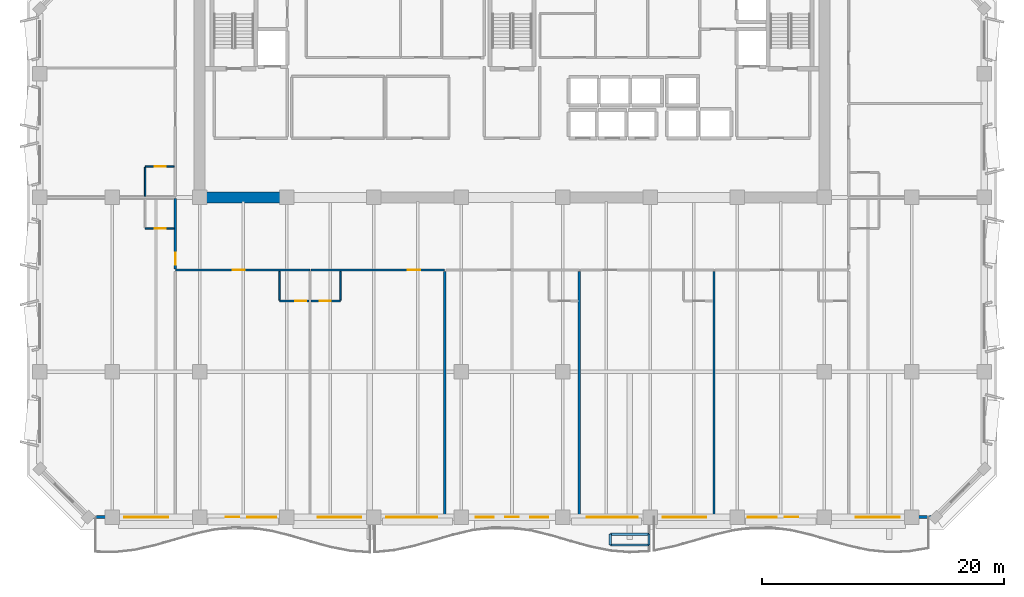
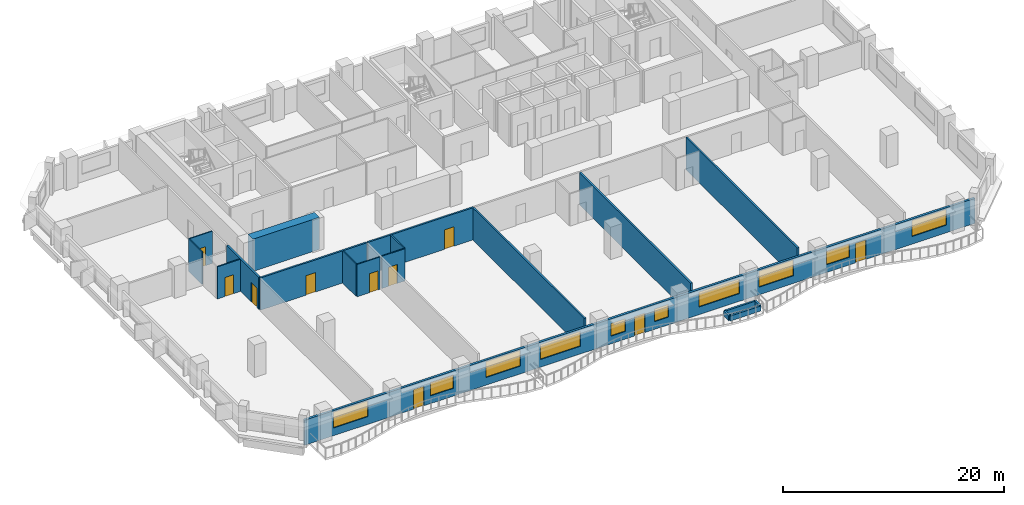
# One storey, part 4 of 14: 19 walls, 10 doors, 10 windows, 20 openings.
"""IFC4 building model written with IfcOpenShell, lengths in metres."""

from ifc_helpers import new_model, si_unit, direction, frame, frame_2d, origin, place, context, subcontext, project, spatial, rectangle, extrude, material, layer, layer_set, type_object, element, fill, save


model = new_model("IFC4")

# Units and contexts
model_context = context("Model", 3, precision=1e-05, world=origin(), true_north=direction((0.0, 1.0)))
body_context = subcontext(model_context, "Body", "Model", "MODEL_VIEW")
ifc_project = project(units=[si_unit("LENGTHUNIT", "METRE"), si_unit("AREAUNIT", "SQUARE_METRE"), si_unit("VOLUMEUNIT", "CUBIC_METRE"), si_unit("PLANEANGLEUNIT", "RADIAN"), si_unit("MASSUNIT", "GRAM", prefix="KILO")], contexts=[model_context])

# Site, building, storey
site_placement = place(None, origin())
site = spatial("IfcSite", under=ifc_project, at=site_placement, CompositionType="ELEMENT")
building_placement = place(site_placement, origin())
building = spatial("IfcBuilding", under=site, at=building_placement, Name="Kaelvorn Grand Hotel", CompositionType="ELEMENT")
storey_placement = place(building_placement, frame((0.0, 0.0, 205.35009765625)))
storey = spatial("IfcBuildingStorey", under=building, at=storey_placement, Name="L50", CompositionType="ELEMENT", Elevation=205.35009765625)

# Wall
ifc_material_1 = material(Name="Concrete C60/75", Category="concrete")
ifc_layer_1 = layer(ifc_material_1, 0.89990234375)
ifc_layer_set_1 = layer_set([ifc_layer_1], Name="Concrete C60/75")
wall_type_1 = type_object("IfcWallType", Name="WL-CORE-900-C60", PredefinedType="SHEAR", material=ifc_layer_set_1)
wall_1_placement = place(storey_placement, frame((16.655029296875, 29.39990234375, 0.0), z_axis=(0.0, 0.0, 1.0), x_axis=(1.0, 0.0, 0.0)))
element("IfcWall", 1, at=wall_1_placement, inside=storey, type_object=wall_type_1, Name="L50 Rear-Core Coupled Shear Pier S1", PredefinedType="SHEAR", context=body_context, shape_type="SweptSolid", body=[
    extrude(rectangle(XDim=6.945068359375, YDim=0.89990234375, at=frame_2d((3.47265625, 0.0))), origin(), (0.0, 0.0, 1.0), 3.559814453125),
])

# Wall, openings, doors, windows
ifc_material_2 = material(Name="Concrete C40/50", Category="concrete")
ifc_layer_2 = layer(ifc_material_2, 0.239990234375)
ifc_layer_set_2 = layer_set([ifc_layer_2], Name="Concrete C40/50")
wall_type_2 = type_object("IfcWallType", Name="WL-EXT-240-C40", PredefinedType="SOLIDWALL", material=ifc_layer_set_2)
wall_2_placement = place(storey_placement, frame((7.0, 3.0, 0.0), z_axis=(0.0, 0.0, 1.0), x_axis=(1.0, 0.0, 0.0)))
wall_2 = element("IfcWall", 2, at=wall_2_placement, inside=storey, type_object=wall_type_2, Name="L50 Exterior Architectural Concrete Wall 01", PredefinedType="SOLIDWALL", context=body_context, shape_type="SweptSolid", body=[
    extrude(rectangle(XDim=70.0, YDim=0.239990234375, at=frame_2d((35.0, 0.0))), origin(), (0.0, 0.0, 1.0), 2.760009765625),
])
opening_1_placement = place(wall_2_placement, frame((11.38330078125, 0.0, 0.0)))
opening_1 = element("IfcOpeningElement", 3, at=opening_1_placement, cuts=wall_2, Name="Opening DE2", PredefinedType="OPENING", context=body_context, shape_type="SweptSolid", body=[
    extrude(rectangle(XDim=1.10009765625, YDim=2.14990234375, at=frame_2d((0.550048828125, 1.074951171875))), frame((0.0, 0.1298828125, 0.0), z_axis=(0.0, -1.0, 0.0), x_axis=(1.0, 0.0, 0.0)), (0.0, 0.0, 1.0), 0.260009765625),
])
opening_2_placement = place(wall_2_placement, frame((34.449951171875, 0.0, 0.0)))
opening_2 = element("IfcOpeningElement", 4, at=opening_2_placement, cuts=wall_2, Name="Opening DE2", PredefinedType="OPENING", context=body_context, shape_type="SweptSolid", body=[
    extrude(rectangle(XDim=1.10009765625, YDim=2.14990234375, at=frame_2d((0.550048828125, 1.074951171875))), frame((0.0, 0.1298828125, 0.0), z_axis=(0.0, -1.0, 0.0), x_axis=(1.0, 0.0, 0.0)), (0.0, 0.0, 1.0), 0.260009765625),
])
opening_3_placement = place(wall_2_placement, frame((57.5166015625, 0.0, 0.0)))
opening_3 = element("IfcOpeningElement", 5, at=opening_3_placement, cuts=wall_2, Name="Opening DE2", PredefinedType="OPENING", context=body_context, shape_type="SweptSolid", body=[
    extrude(rectangle(XDim=1.10009765625, YDim=2.14990234375, at=frame_2d((0.550048828125, 1.074951171875))), frame((0.0, 0.1298828125, 0.0), z_axis=(0.0, -1.0, 0.0), x_axis=(1.0, 0.0, 0.0)), (0.0, 0.0, 1.0), 0.260009765625),
])
opening_4_placement = place(wall_2_placement, frame((3.0, 0.0, 0.85009765625)))
opening_4 = element("IfcOpeningElement", 6, at=opening_4_placement, cuts=wall_2, Name="Opening W3", PredefinedType="OPENING", context=body_context, shape_type="SweptSolid", body=[
    extrude(rectangle(XDim=3.60009765625, YDim=1.75, at=frame_2d((1.800048828125, 0.875))), frame((0.0, 0.1298828125, 0.0), z_axis=(0.0, -1.0, 0.0), x_axis=(1.0, 0.0, 0.0)), (0.0, 0.0, 1.0), 0.260009765625),
])
opening_5_placement = place(wall_2_placement, frame((13.126708984375, 0.0, 0.85009765625)))
opening_5 = element("IfcOpeningElement", 7, at=opening_5_placement, cuts=wall_2, Name="Opening W6", PredefinedType="OPENING", context=body_context, shape_type="SweptSolid", body=[
    extrude(rectangle(XDim=2.39990234375, YDim=1.5, at=frame_2d((1.199951171875, 0.75))), frame((0.0, 0.1298828125, 0.0), z_axis=(0.0, -1.0, 0.0), x_axis=(1.0, 0.0, 0.0)), (0.0, 0.0, 1.0), 0.260009765625),
])
opening_6_placement = place(wall_2_placement, frame((18.9599609375, 0.0, 0.85009765625)))
opening_6 = element("IfcOpeningElement", 8, at=opening_6_placement, cuts=wall_2, Name="Opening W3", PredefinedType="OPENING", context=body_context, shape_type="SweptSolid", body=[
    extrude(rectangle(XDim=3.60009765625, YDim=1.75, at=frame_2d((1.800048828125, 0.875))), frame((0.0, 0.1298828125, 0.0), z_axis=(0.0, -1.0, 0.0), x_axis=(1.0, 0.0, 0.0)), (0.0, 0.0, 1.0), 0.260009765625),
])
opening_7_placement = place(wall_2_placement, frame((24.6201171875, 0.0, 0.85009765625)))
opening_7 = element("IfcOpeningElement", 9, at=opening_7_placement, cuts=wall_2, Name="Opening W2", PredefinedType="OPENING", context=body_context, shape_type="SweptSolid", body=[
    extrude(rectangle(XDim=4.199951171875, YDim=1.64990234375, at=frame_2d((2.10009765625, 0.824951171875))), frame((0.0, 0.1298828125, 0.0), z_axis=(0.0, -1.0, 0.0), x_axis=(1.0, 0.0, 0.0)), (0.0, 0.0, 1.0), 0.260009765625),
])
opening_8_placement = place(wall_2_placement, frame((31.989990234375, 0.0, 0.85009765625)))
opening_8 = element("IfcOpeningElement", 10, at=opening_8_placement, cuts=wall_2, Name="Opening W10", PredefinedType="OPENING", context=body_context, shape_type="SweptSolid", body=[
    extrude(rectangle(XDim=1.5, YDim=1.39990234375, at=frame_2d((0.75, 0.699951171875))), frame((0.0, 0.1298828125, 0.0), z_axis=(0.0, -1.0, 0.0), x_axis=(1.0, 0.0, 0.0)), (0.0, 0.0, 1.0), 0.260009765625),
])
opening_9_placement = place(wall_2_placement, frame((36.510009765625, 0.0, 0.85009765625)))
opening_9 = element("IfcOpeningElement", 11, at=opening_9_placement, cuts=wall_2, Name="Opening W10", PredefinedType="OPENING", context=body_context, shape_type="SweptSolid", body=[
    extrude(rectangle(XDim=1.5, YDim=1.39990234375, at=frame_2d((0.75, 0.699951171875))), frame((0.0, 0.1298828125, 0.0), z_axis=(0.0, -1.0, 0.0), x_axis=(1.0, 0.0, 0.0)), (0.0, 0.0, 1.0), 0.260009765625),
])
opening_10_placement = place(wall_2_placement, frame((41.179931640625, 0.0, 0.85009765625)))
opening_10 = element("IfcOpeningElement", 12, at=opening_10_placement, cuts=wall_2, Name="Opening W2", PredefinedType="OPENING", context=body_context, shape_type="SweptSolid", body=[
    extrude(rectangle(XDim=4.199951171875, YDim=1.64990234375, at=frame_2d((2.10009765625, 0.824951171875))), frame((0.0, 0.1298828125, 0.0), z_axis=(0.0, -1.0, 0.0), x_axis=(1.0, 0.0, 0.0)), (0.0, 0.0, 1.0), 0.260009765625),
])
opening_11_placement = place(wall_2_placement, frame((47.43994140625, 0.0, 0.85009765625)))
opening_11 = element("IfcOpeningElement", 13, at=opening_11_placement, cuts=wall_2, Name="Opening W3", PredefinedType="OPENING", context=body_context, shape_type="SweptSolid", body=[
    extrude(rectangle(XDim=3.60009765625, YDim=1.75, at=frame_2d((1.800048828125, 0.875))), frame((0.0, 0.1298828125, 0.0), z_axis=(0.0, -1.0, 0.0), x_axis=(1.0, 0.0, 0.0)), (0.0, 0.0, 1.0), 0.260009765625),
])
opening_12_placement = place(wall_2_placement, frame((54.473388671875, 0.0, 0.85009765625)))
opening_12 = element("IfcOpeningElement", 14, at=opening_12_placement, cuts=wall_2, Name="Opening W6", PredefinedType="OPENING", context=body_context, shape_type="SweptSolid", body=[
    extrude(rectangle(XDim=2.39990234375, YDim=1.5, at=frame_2d((1.199951171875, 0.75))), frame((0.0, 0.1298828125, 0.0), z_axis=(0.0, -1.0, 0.0), x_axis=(1.0, 0.0, 0.0)), (0.0, 0.0, 1.0), 0.260009765625),
])
opening_13_placement = place(wall_2_placement, frame((63.39990234375, 0.0, 0.85009765625)))
opening_13 = element("IfcOpeningElement", 15, at=opening_13_placement, cuts=wall_2, Name="Opening W3", PredefinedType="OPENING", context=body_context, shape_type="SweptSolid", body=[
    extrude(rectangle(XDim=3.60009765625, YDim=1.75, at=frame_2d((1.800048828125, 0.875))), frame((0.0, 0.1298828125, 0.0), z_axis=(0.0, -1.0, 0.0), x_axis=(1.0, 0.0, 0.0)), (0.0, 0.0, 1.0), 0.260009765625),
])
ifc_material_3 = material(Name="Anodised Aluminium", Category="aluminium")
door_type_1 = type_object("IfcDoorType", Name="DR-EXT-BALC-1100x2150", OperationType="NOTDEFINED", PredefinedType="DOOR", material=ifc_material_3)
door_1_placement = place(opening_1_placement, origin())
door_1 = element("IfcDoor", 16, at=door_1_placement, inside=storey, type_object=door_type_1, Name="L50 Scalloped Balcony Glazed Door DE2-1", OperationType="SINGLE_SWING_LEFT", OverallHeight=2.14990234375, OverallWidth=1.10009765625, PredefinedType="DOOR", context=body_context, shape_type="SweptSolid", body=[
    extrude(rectangle(XDim=1.10009765625, YDim=2.14990234375, at=frame_2d((0.550048828125, 1.074951171875))), frame((0.0, 0.02490234375, 0.0), z_axis=(0.0, -1.0, 0.0), x_axis=(1.0, 0.0, 0.0)), (0.0, 0.0, 1.0), 0.050048828125),
])
fill(opening_1, door_1)
door_2_placement = place(opening_2_placement, origin())
door_2 = element("IfcDoor", 17, at=door_2_placement, inside=storey, type_object=door_type_1, Name="L50 Scalloped Balcony Glazed Door DE2-2", OperationType="SINGLE_SWING_RIGHT", OverallHeight=2.14990234375, OverallWidth=1.10009765625, PredefinedType="DOOR", context=body_context, shape_type="SweptSolid", body=[
    extrude(rectangle(XDim=1.10009765625, YDim=2.14990234375, at=frame_2d((0.550048828125, 1.074951171875))), frame((0.0, 0.02490234375, 0.0), z_axis=(0.0, -1.0, 0.0), x_axis=(1.0, 0.0, 0.0)), (0.0, 0.0, 1.0), 0.050048828125),
])
fill(opening_2, door_2)
door_3_placement = place(opening_3_placement, origin())
door_3 = element("IfcDoor", 18, at=door_3_placement, inside=storey, type_object=door_type_1, Name="L50 Scalloped Balcony Glazed Door DE2-3", OperationType="SINGLE_SWING_LEFT", OverallHeight=2.14990234375, OverallWidth=1.10009765625, PredefinedType="DOOR", context=body_context, shape_type="SweptSolid", body=[
    extrude(rectangle(XDim=1.10009765625, YDim=2.14990234375, at=frame_2d((0.550048828125, 1.074951171875))), frame((0.0, 0.02490234375, 0.0), z_axis=(0.0, -1.0, 0.0), x_axis=(1.0, 0.0, 0.0)), (0.0, 0.0, 1.0), 0.050048828125),
])
fill(opening_3, door_3)
ifc_material_4 = material(Name="Laminated Low-E Glass", Category="glass")
window_type_1 = type_object("IfcWindowType", Name="WIN-COR-1500x1400", PartitioningType="SINGLE_PANEL", PredefinedType="WINDOW", material=ifc_material_4)
window_1_placement = place(opening_8_placement, origin())
window_1 = element("IfcWindow", 19, at=window_1_placement, inside=storey, type_object=window_type_1, Name="L50 South Guestroom Ribbon Window SR05", OverallHeight=1.39990234375, OverallWidth=1.5, PartitioningType="SINGLE_PANEL", PredefinedType="WINDOW", context=body_context, shape_type="SweptSolid", body=[
    extrude(rectangle(XDim=1.5, YDim=1.39990234375, at=frame_2d((0.75, 0.699951171875))), frame((0.0, 0.030029296875, 0.0), z_axis=(0.0, -1.0, 0.0), x_axis=(1.0, 0.0, 0.0)), (0.0, 0.0, 1.0), 0.06005859375),
])
fill(opening_8, window_1)
window_2_placement = place(opening_9_placement, origin())
window_2 = element("IfcWindow", 20, at=window_2_placement, inside=storey, type_object=window_type_1, Name="L50 South Guestroom Ribbon Window SR06", OverallHeight=1.39990234375, OverallWidth=1.5, PartitioningType="SINGLE_PANEL", PredefinedType="WINDOW", context=body_context, shape_type="SweptSolid", body=[
    extrude(rectangle(XDim=1.5, YDim=1.39990234375, at=frame_2d((0.75, 0.699951171875))), frame((0.0, 0.030029296875, 0.0), z_axis=(0.0, -1.0, 0.0), x_axis=(1.0, 0.0, 0.0)), (0.0, 0.0, 1.0), 0.06005859375),
])
fill(opening_9, window_2)
window_type_2 = type_object("IfcWindowType", Name="WIN-NTH-2400x1500", PartitioningType="SINGLE_PANEL", PredefinedType="WINDOW", material=ifc_material_4)
window_3_placement = place(opening_5_placement, origin())
window_3 = element("IfcWindow", 21, at=window_3_placement, inside=storey, type_object=window_type_2, Name="L50 South Guestroom Ribbon Window SR02", OverallHeight=1.5, OverallWidth=2.39990234375, PartitioningType="SINGLE_PANEL", PredefinedType="WINDOW", context=body_context, shape_type="SweptSolid", body=[
    extrude(rectangle(XDim=2.39990234375, YDim=1.5, at=frame_2d((1.199951171875, 0.75))), frame((0.0, 0.030029296875, 0.0), z_axis=(0.0, -1.0, 0.0), x_axis=(1.0, 0.0, 0.0)), (0.0, 0.0, 1.0), 0.06005859375),
])
fill(opening_5, window_3)
window_4_placement = place(opening_12_placement, origin())
window_4 = element("IfcWindow", 22, at=window_4_placement, inside=storey, type_object=window_type_2, Name="L50 South Guestroom Ribbon Window SR09", OverallHeight=1.5, OverallWidth=2.39990234375, PartitioningType="SINGLE_PANEL", PredefinedType="WINDOW", context=body_context, shape_type="SweptSolid", body=[
    extrude(rectangle(XDim=2.39990234375, YDim=1.5, at=frame_2d((1.199951171875, 0.75))), frame((0.0, 0.030029296875, 0.0), z_axis=(0.0, -1.0, 0.0), x_axis=(1.0, 0.0, 0.0)), (0.0, 0.0, 1.0), 0.06005859375),
])
fill(opening_12, window_4)
window_type_3 = type_object("IfcWindowType", Name="WIN-RIB-3600x1750", PartitioningType="SINGLE_PANEL", PredefinedType="WINDOW", material=ifc_material_4)
window_5_placement = place(opening_4_placement, origin())
window_5 = element("IfcWindow", 23, at=window_5_placement, inside=storey, type_object=window_type_3, Name="L50 South Guestroom Ribbon Window SR01", OverallHeight=1.75, OverallWidth=3.60009765625, PartitioningType="SINGLE_PANEL", PredefinedType="WINDOW", context=body_context, shape_type="SweptSolid", body=[
    extrude(rectangle(XDim=3.60009765625, YDim=1.75, at=frame_2d((1.800048828125, 0.875))), frame((0.0, 0.030029296875, 0.0), z_axis=(0.0, -1.0, 0.0), x_axis=(1.0, 0.0, 0.0)), (0.0, 0.0, 1.0), 0.06005859375),
])
fill(opening_4, window_5)
window_6_placement = place(opening_6_placement, origin())
window_6 = element("IfcWindow", 24, at=window_6_placement, inside=storey, type_object=window_type_3, Name="L50 South Guestroom Ribbon Window SR03", OverallHeight=1.75, OverallWidth=3.60009765625, PartitioningType="SINGLE_PANEL", PredefinedType="WINDOW", context=body_context, shape_type="SweptSolid", body=[
    extrude(rectangle(XDim=3.60009765625, YDim=1.75, at=frame_2d((1.800048828125, 0.875))), frame((0.0, 0.030029296875, 0.0), z_axis=(0.0, -1.0, 0.0), x_axis=(1.0, 0.0, 0.0)), (0.0, 0.0, 1.0), 0.06005859375),
])
fill(opening_6, window_6)
window_7_placement = place(opening_11_placement, origin())
window_7 = element("IfcWindow", 25, at=window_7_placement, inside=storey, type_object=window_type_3, Name="L50 South Guestroom Ribbon Window SR08", OverallHeight=1.75, OverallWidth=3.60009765625, PartitioningType="SINGLE_PANEL", PredefinedType="WINDOW", context=body_context, shape_type="SweptSolid", body=[
    extrude(rectangle(XDim=3.60009765625, YDim=1.75, at=frame_2d((1.800048828125, 0.875))), frame((0.0, 0.030029296875, 0.0), z_axis=(0.0, -1.0, 0.0), x_axis=(1.0, 0.0, 0.0)), (0.0, 0.0, 1.0), 0.06005859375),
])
fill(opening_11, window_7)
window_8_placement = place(opening_13_placement, origin())
window_8 = element("IfcWindow", 26, at=window_8_placement, inside=storey, type_object=window_type_3, Name="L50 South Guestroom Ribbon Window SR10", OverallHeight=1.75, OverallWidth=3.60009765625, PartitioningType="SINGLE_PANEL", PredefinedType="WINDOW", context=body_context, shape_type="SweptSolid", body=[
    extrude(rectangle(XDim=3.60009765625, YDim=1.75, at=frame_2d((1.800048828125, 0.875))), frame((0.0, 0.030029296875, 0.0), z_axis=(0.0, -1.0, 0.0), x_axis=(1.0, 0.0, 0.0)), (0.0, 0.0, 1.0), 0.06005859375),
])
fill(opening_13, window_8)
window_type_4 = type_object("IfcWindowType", Name="WIN-RIB-4200x1650", PartitioningType="SINGLE_PANEL", PredefinedType="WINDOW", material=ifc_material_4)
window_9_placement = place(opening_7_placement, origin())
window_9 = element("IfcWindow", 27, at=window_9_placement, inside=storey, type_object=window_type_4, Name="L50 South Guestroom Ribbon Window SR04", OverallHeight=1.64990234375, OverallWidth=4.199951171875, PartitioningType="SINGLE_PANEL", PredefinedType="WINDOW", context=body_context, shape_type="SweptSolid", body=[
    extrude(rectangle(XDim=4.199951171875, YDim=1.64990234375, at=frame_2d((2.10009765625, 0.824951171875))), frame((0.0, 0.030029296875, 0.0), z_axis=(0.0, -1.0, 0.0), x_axis=(1.0, 0.0, 0.0)), (0.0, 0.0, 1.0), 0.06005859375),
])
fill(opening_7, window_9)
window_10_placement = place(opening_10_placement, origin())
window_10 = element("IfcWindow", 28, at=window_10_placement, inside=storey, type_object=window_type_4, Name="L50 South Guestroom Ribbon Window SR07", OverallHeight=1.64990234375, OverallWidth=4.199951171875, PartitioningType="SINGLE_PANEL", PredefinedType="WINDOW", context=body_context, shape_type="SweptSolid", body=[
    extrude(rectangle(XDim=4.199951171875, YDim=1.64990234375, at=frame_2d((2.10009765625, 0.824951171875))), frame((0.0, 0.030029296875, 0.0), z_axis=(0.0, -1.0, 0.0), x_axis=(1.0, 0.0, 0.0)), (0.0, 0.0, 1.0), 0.06005859375),
])
fill(opening_10, window_10)

# Wall, opening, door
ifc_material_5 = material(Name="Moisture-Resistant Tile & Stud Board")
ifc_layer_3 = layer(ifc_material_5, 0.125)
ifc_layer_set_3 = layer_set([ifc_layer_3], Name="Moisture-Resistant Tile & Stud Board")
wall_type_3 = type_object("IfcWallType", Name="WL-PART-125-WET", PredefinedType="PARTITIONING", material=ifc_layer_set_3)
wall_3_placement = place(storey_placement, frame((22.820068359375, 20.85009765625, 0.0), z_axis=(0.0, 0.0, 1.0), x_axis=(1.0, 0.0, 0.0)))
wall_3 = element("IfcWall", 29, at=wall_3_placement, inside=storey, type_object=wall_type_3, Name="L50 En-suite Bathroom L50-01 S Partition", PredefinedType="PARTITIONING", context=body_context, shape_type="SweptSolid", body=[
    extrude(rectangle(XDim=2.405029296875, YDim=0.125, at=frame_2d((1.20263671875, 0.0))), origin(), (0.0, 0.0, 1.0), 3.559814453125),
])
opening_14_placement = place(wall_3_placement, frame((1.300048828125, 0.0, 0.0)))
opening_14 = element("IfcOpeningElement", 30, at=opening_14_placement, cuts=wall_3, Name="Opening DI4", PredefinedType="OPENING", context=body_context, shape_type="SweptSolid", body=[
    extrude(rectangle(XDim=0.89990234375, YDim=2.10009765625, at=frame_2d((0.449951171875, 1.050048828125))), frame((0.0, 0.072509765625, 0.0), z_axis=(0.0, -1.0, 0.0), x_axis=(1.0, 0.0, 0.0)), (0.0, 0.0, 1.0), 0.14501953125),
])
ifc_material_6 = material(Name="Timber Veneer Leaf", Category="wood")
door_type_2 = type_object("IfcDoorType", Name="DR-INT-BATH-900x2100", OperationType="NOTDEFINED", PredefinedType="DOOR", material=ifc_material_6)
door_4_placement = place(opening_14_placement, origin())
door_4 = element("IfcDoor", 31, at=door_4_placement, inside=storey, type_object=door_type_2, Name="L50 En-suite Bathroom L50-01 Door", OperationType="SINGLE_SWING_RIGHT", OverallHeight=2.10009765625, OverallWidth=0.89990234375, PredefinedType="DOOR", context=body_context, shape_type="SweptSolid", body=[
    extrude(rectangle(XDim=0.89990234375, YDim=2.10009765625, at=frame_2d((0.449951171875, 1.050048828125))), frame((0.0, 0.02490234375, 0.0), z_axis=(0.0, -1.0, 0.0), x_axis=(1.0, 0.0, 0.0)), (0.0, 0.0, 1.0), 0.050048828125),
])
fill(opening_14, door_4)

# Wall
wall_4_placement = place(storey_placement, frame((22.820068359375, 20.91748046875, 0.0), z_axis=(0.0, 0.0, 1.0), x_axis=(0.0, 1.0, 0.0)))
element("IfcWall", 32, at=wall_4_placement, inside=storey, type_object=wall_type_3, Name="L50 En-suite Bathroom L50-01 W Partition", PredefinedType="PARTITIONING", context=body_context, shape_type="SweptSolid", body=[
    extrude(rectangle(XDim=2.387451171875, YDim=0.125, at=frame_2d((1.19384765625, 0.0))), origin(), (0.0, 0.0, 1.0), 3.559814453125),
])

# Wall, opening, door
wall_5_placement = place(storey_placement, frame((25.4150390625, 20.85009765625, 0.0), z_axis=(0.0, 0.0, 1.0), x_axis=(1.0, 0.0, 0.0)))
wall_5 = element("IfcWall", 33, at=wall_5_placement, inside=storey, type_object=wall_type_3, Name="L50 En-suite Bathroom L50-02 S Partition", PredefinedType="PARTITIONING", context=body_context, shape_type="SweptSolid", body=[
    extrude(rectangle(XDim=2.405029296875, YDim=0.125, at=frame_2d((1.20263671875, 0.0))), origin(), (0.0, 0.0, 1.0), 3.559814453125),
])
opening_15_placement = place(wall_5_placement, frame((0.705078125, 0.0, 0.0)))
opening_15 = element("IfcOpeningElement", 34, at=opening_15_placement, cuts=wall_5, Name="Opening DI4", PredefinedType="OPENING", context=body_context, shape_type="SweptSolid", body=[
    extrude(rectangle(XDim=0.89990234375, YDim=2.10009765625, at=frame_2d((0.449951171875, 1.050048828125))), frame((0.0, 0.072509765625, 0.0), z_axis=(0.0, -1.0, 0.0), x_axis=(1.0, 0.0, 0.0)), (0.0, 0.0, 1.0), 0.14501953125),
])
door_5_placement = place(opening_15_placement, origin())
door_5 = element("IfcDoor", 35, at=door_5_placement, inside=storey, type_object=door_type_2, Name="L50 En-suite Bathroom L50-02 Door", OperationType="SINGLE_SWING_RIGHT", OverallHeight=2.10009765625, OverallWidth=0.89990234375, PredefinedType="DOOR", context=body_context, shape_type="SweptSolid", body=[
    extrude(rectangle(XDim=0.89990234375, YDim=2.10009765625, at=frame_2d((0.449951171875, 1.050048828125))), frame((0.0, 0.02490234375, 0.0), z_axis=(0.0, -1.0, 0.0), x_axis=(1.0, 0.0, 0.0)), (0.0, 0.0, 1.0), 0.050048828125),
])
fill(opening_15, door_5)

# Wall
wall_6_placement = place(storey_placement, frame((27.820068359375, 20.91748046875, 0.0), z_axis=(0.0, 0.0, 1.0), x_axis=(0.0, 1.0, 0.0)))
element("IfcWall", 36, at=wall_6_placement, inside=storey, type_object=wall_type_3, Name="L50 En-suite Bathroom L50-02 E Partition", PredefinedType="PARTITIONING", context=body_context, shape_type="SweptSolid", body=[
    extrude(rectangle(XDim=2.387451171875, YDim=0.125, at=frame_2d((1.19384765625, 0.0))), origin(), (0.0, 0.0, 1.0), 3.559814453125),
])

# Wall, opening, door
wall_7_placement = place(storey_placement, frame((11.699951171875, 26.85009765625, 0.0), z_axis=(0.0, 0.0, 1.0), x_axis=(1.0, 0.0, 0.0)))
wall_7 = element("IfcWall", 37, at=wall_7_placement, inside=storey, type_object=wall_type_3, Name="L50 En-suite Bathroom L50-06 S Partition", PredefinedType="PARTITIONING", context=body_context, shape_type="SweptSolid", body=[
    extrude(rectangle(XDim=2.405029296875, YDim=0.125, at=frame_2d((1.20263671875, 0.0))), origin(), (0.0, 0.0, 1.0), 3.559814453125),
])
opening_16_placement = place(wall_7_placement, frame((0.800048828125, 0.0, 0.0)))
opening_16 = element("IfcOpeningElement", 38, at=opening_16_placement, cuts=wall_7, Name="Opening DI4", PredefinedType="OPENING", context=body_context, shape_type="SweptSolid", body=[
    extrude(rectangle(XDim=0.89990234375, YDim=2.10009765625, at=frame_2d((0.449951171875, 1.050048828125))), frame((0.0, 0.072509765625, 0.0), z_axis=(0.0, -1.0, 0.0), x_axis=(1.0, 0.0, 0.0)), (0.0, 0.0, 1.0), 0.14501953125),
])
door_6_placement = place(opening_16_placement, origin())
door_6 = element("IfcDoor", 39, at=door_6_placement, inside=storey, type_object=door_type_2, Name="L50 En-suite Bathroom L50-06 Door", OperationType="SINGLE_SWING_RIGHT", OverallHeight=2.10009765625, OverallWidth=0.89990234375, PredefinedType="DOOR", context=body_context, shape_type="SweptSolid", body=[
    extrude(rectangle(XDim=0.89990234375, YDim=2.10009765625, at=frame_2d((0.449951171875, 1.050048828125))), frame((0.0, 0.02490234375, 0.0), z_axis=(0.0, -1.0, 0.0), x_axis=(1.0, 0.0, 0.0)), (0.0, 0.0, 1.0), 0.050048828125),
])
fill(opening_16, door_6)

wall_8_placement = place(storey_placement, frame((11.699951171875, 31.949951171875, 0.0), z_axis=(0.0, 0.0, 1.0), x_axis=(1.0, 0.0, 0.0)))
wall_8 = element("IfcWall", 40, at=wall_8_placement, inside=storey, type_object=wall_type_3, Name="L50 En-suite Bathroom L50-08 N Partition", PredefinedType="PARTITIONING", context=body_context, shape_type="SweptSolid", body=[
    extrude(rectangle(XDim=2.405029296875, YDim=0.125, at=frame_2d((1.20263671875, 0.0))), origin(), (0.0, 0.0, 1.0), 3.559814453125),
])
opening_17_placement = place(wall_8_placement, frame((0.800048828125, 0.0, 0.0)))
opening_17 = element("IfcOpeningElement", 41, at=opening_17_placement, cuts=wall_8, Name="Opening DI4", PredefinedType="OPENING", context=body_context, shape_type="SweptSolid", body=[
    extrude(rectangle(XDim=0.89990234375, YDim=2.10009765625, at=frame_2d((0.449951171875, 1.050048828125))), frame((0.0, 0.072509765625, 0.0), z_axis=(0.0, -1.0, 0.0), x_axis=(1.0, 0.0, 0.0)), (0.0, 0.0, 1.0), 0.14501953125),
])
door_7_placement = place(opening_17_placement, origin())
door_7 = element("IfcDoor", 42, at=door_7_placement, inside=storey, type_object=door_type_2, Name="L50 En-suite Bathroom L50-08 Door", OperationType="SINGLE_SWING_RIGHT", OverallHeight=2.10009765625, OverallWidth=0.89990234375, PredefinedType="DOOR", context=body_context, shape_type="SweptSolid", body=[
    extrude(rectangle(XDim=0.89990234375, YDim=2.10009765625, at=frame_2d((0.449951171875, 1.050048828125))), frame((0.0, 0.02490234375, 0.0), z_axis=(0.0, -1.0, 0.0), x_axis=(1.0, 0.0, 0.0)), (0.0, 0.0, 1.0), 0.050048828125),
])
fill(opening_17, door_7)

# Wall
wall_9_placement = place(storey_placement, frame((11.699951171875, 29.4951171875, 0.0), z_axis=(0.0, 0.0, 1.0), x_axis=(0.0, 1.0, 0.0)))
element("IfcWall", 43, at=wall_9_placement, inside=storey, type_object=wall_type_3, Name="L50 En-suite Bathroom L50-08 W Partition", PredefinedType="PARTITIONING", context=body_context, shape_type="SweptSolid", body=[
    extrude(rectangle(XDim=2.387451171875, YDim=0.125, at=frame_2d((1.19384765625, 0.0))), origin(), (0.0, 0.0, 1.0), 3.559814453125),
])

# Wall, opening, door
ifc_material_7 = material(Name="Acoustic Gypsum & Stud Partition")
ifc_layer_4 = layer(ifc_material_7, 0.179931640625)
ifc_layer_set_4 = layer_set([ifc_layer_4], Name="Acoustic Gypsum & Stud Partition")
wall_type_4 = type_object("IfcWallType", Name="WL-PART-180-EI60", PredefinedType="PARTITIONING", material=ifc_layer_set_4)
wall_10_placement = place(storey_placement, frame((14.199951171875, 23.39990234375, 0.0), z_axis=(0.0, 0.0, 1.0), x_axis=(1.0, 0.0, 0.0)))
wall_10 = element("IfcWall", 44, at=wall_10_placement, inside=storey, type_object=wall_type_4, Name="L50 Mid-Rise Signature Suite L50-01 N Partition", PredefinedType="PARTITIONING", context=body_context, shape_type="SweptSolid", body=[
    extrude(rectangle(XDim=11.1201171875, YDim=0.179931640625, at=frame_2d((5.56005859375, 0.0))), origin(), (0.0, 0.0, 1.0), 3.559814453125),
])
opening_18_placement = place(wall_10_placement, frame((4.75, 0.0, 0.0)))
opening_18 = element("IfcOpeningElement", 45, at=opening_18_placement, cuts=wall_10, Name="Opening DI3", PredefinedType="OPENING", context=body_context, shape_type="SweptSolid", body=[
    extrude(rectangle(XDim=1.0, YDim=2.14990234375, at=frame_2d((0.5, 1.074951171875))), frame((0.0, 0.10009765625, 0.0), z_axis=(0.0, -1.0, 0.0), x_axis=(1.0, 0.0, 0.0)), (0.0, 0.0, 1.0), 0.199951171875),
])
ifc_material_8 = material(Name="Timber Veneer Fire Leaf", Category="wood")
door_type_3 = type_object("IfcDoorType", Name="DR-INT-GUEST-1000x2150", OperationType="NOTDEFINED", PredefinedType="DOOR", material=ifc_material_8)
door_8_placement = place(opening_18_placement, origin())
door_8 = element("IfcDoor", 46, at=door_8_placement, inside=storey, type_object=door_type_3, Name="L50 Mid-Rise Signature Suite L50-01 Door", OperationType="SINGLE_SWING_LEFT", OverallHeight=2.14990234375, OverallWidth=1.0, PredefinedType="DOOR", context=body_context, shape_type="SweptSolid", body=[
    extrude(rectangle(XDim=1.0, YDim=2.14990234375, at=frame_2d((0.5, 1.074951171875))), frame((0.0, 0.02490234375, 0.0), z_axis=(0.0, -1.0, 0.0), x_axis=(1.0, 0.0, 0.0)), (0.0, 0.0, 1.0), 0.050048828125),
])
fill(opening_18, door_8)

wall_11_placement = place(storey_placement, frame((25.4150390625, 23.39990234375, 0.0), z_axis=(0.0, 0.0, 1.0), x_axis=(1.0, 0.0, 0.0)))
wall_11 = element("IfcWall", 47, at=wall_11_placement, inside=storey, type_object=wall_type_4, Name="L50 Mid-Rise Signature Suite L50-02 N Partition", PredefinedType="PARTITIONING", context=body_context, shape_type="SweptSolid", body=[
    extrude(rectangle(XDim=11.02490234375, YDim=0.179931640625, at=frame_2d((5.512451171875, 0.0))), origin(), (0.0, 0.0, 1.0), 3.559814453125),
])
opening_19_placement = place(wall_11_placement, frame((7.9951171875, 0.0, 0.0)))
opening_19 = element("IfcOpeningElement", 48, at=opening_19_placement, cuts=wall_11, Name="Opening DI3", PredefinedType="OPENING", context=body_context, shape_type="SweptSolid", body=[
    extrude(rectangle(XDim=1.0, YDim=2.14990234375, at=frame_2d((0.5, 1.074951171875))), frame((0.0, 0.10009765625, 0.0), z_axis=(0.0, -1.0, 0.0), x_axis=(1.0, 0.0, 0.0)), (0.0, 0.0, 1.0), 0.199951171875),
])
door_9_placement = place(opening_19_placement, origin())
door_9 = element("IfcDoor", 49, at=door_9_placement, inside=storey, type_object=door_type_3, Name="L50 Mid-Rise Signature Suite L50-02 Door", OperationType="SINGLE_SWING_LEFT", OverallHeight=2.14990234375, OverallWidth=1.0, PredefinedType="DOOR", context=body_context, shape_type="SweptSolid", body=[
    extrude(rectangle(XDim=1.0, YDim=2.14990234375, at=frame_2d((0.5, 1.074951171875))), frame((0.0, 0.02490234375, 0.0), z_axis=(0.0, -1.0, 0.0), x_axis=(1.0, 0.0, 0.0)), (0.0, 0.0, 1.0), 0.050048828125),
])
fill(opening_19, door_9)

# Walls
for number, where, z_axis, x_axis, name in (
    (50, (36.43994140625, 3.14990234375, 0.0), (0.0, 0.0, 1.0), (0.0, 1.0, 0.0), "L50 Mid-Rise Signature Suite L50-02 E Partition"),
    (51, (47.56005859375, 3.14990234375, 0.0), (0.0, 0.0, 1.0), (0.0, 1.0, 0.0), "L50 Mid-Rise Signature Suite L50-03 E Partition"),
    (52, (58.679931640625, 3.14990234375, 0.0), (0.0, 0.0, 1.0), (0.0, 1.0, 0.0), "L50 Mid-Rise Signature Suite L50-04 E Partition"),
):
    element("IfcWall", number, at=place(storey_placement, frame(where, z_axis=z_axis, x_axis=x_axis)), inside=storey, type_object=wall_type_4, Name=name, PredefinedType="PARTITIONING", context=body_context, shape_type="SweptSolid", body=[
        extrude(rectangle(XDim=20.155029296875, YDim=0.179931640625, at=frame_2d((10.07763671875, 0.0))), origin(), (0.0, 0.0, 1.0), 3.559814453125),
    ])

# Wall, opening, door
wall_12_placement = place(storey_placement, frame((14.199951171875, 23.4951171875, 0.0), z_axis=(0.0, 0.0, 1.0), x_axis=(0.0, 1.0, 0.0)))
wall_12 = element("IfcWall", 53, at=wall_12_placement, inside=storey, type_object=wall_type_4, Name="L50 Presidential Sky Suite L50-06 E Partition", PredefinedType="PARTITIONING", context=body_context, shape_type="SweptSolid", body=[
    extrude(rectangle(XDim=5.809814453125, YDim=0.179931640625, at=frame_2d((2.90478515625, 0.0))), origin(), (0.0, 0.0, 1.0), 3.559814453125),
])
opening_20_placement = place(wall_12_placement, frame((0.35498046875, 0.0, 0.0)))
opening_20 = element("IfcOpeningElement", 54, at=opening_20_placement, cuts=wall_12, Name="Opening DI3", PredefinedType="OPENING", context=body_context, shape_type="SweptSolid", body=[
    extrude(rectangle(XDim=1.0, YDim=2.14990234375, at=frame_2d((0.5, 1.074951171875))), frame((0.0, 0.10009765625, 0.0), z_axis=(0.0, -1.0, 0.0), x_axis=(1.0, 0.0, 0.0)), (0.0, 0.0, 1.0), 0.199951171875),
])
door_10_placement = place(opening_20_placement, origin())
door_10 = element("IfcDoor", 55, at=door_10_placement, inside=storey, type_object=door_type_3, Name="L50 Presidential Sky Suite L50-06 Door", OperationType="SINGLE_SWING_LEFT", OverallHeight=2.14990234375, OverallWidth=1.0, PredefinedType="DOOR", context=body_context, shape_type="SweptSolid", body=[
    extrude(rectangle(XDim=1.0, YDim=2.14990234375, at=frame_2d((0.5, 1.074951171875))), frame((0.0, 0.02490234375, 0.0), z_axis=(0.0, -1.0, 0.0), x_axis=(1.0, 0.0, 0.0)), (0.0, 0.0, 1.0), 0.050048828125),
])
fill(opening_20, door_10)

# Walls
ifc_layer_5 = layer(ifc_material_2, 0.199951171875)
ifc_layer_set_5 = layer_set([ifc_layer_5], Name="Concrete C40/50")
wall_type_5 = type_object("IfcWallType", Name="WL-TREE-PLANTER-200", PredefinedType="PARAPET", material=ifc_layer_set_5)
wall_13_placement = place(storey_placement, frame((50.1142578125, 0.699951171875, 0.0), z_axis=(0.0, 0.0, 1.0), x_axis=(1.0, 0.0, 0.0)))
element("IfcWall", 56, at=wall_13_placement, inside=storey, type_object=wall_type_5, Name="L50 Planted Balcony Structural TREE PLANTER Kerb 1-S", PredefinedType="PARAPET", context=body_context, shape_type="SweptSolid", body=[
    extrude(rectangle(XDim=3.199951171875, YDim=0.199951171875, at=frame_2d((1.60009765625, 0.0))), origin(), (0.0, 0.0, 1.0), 0.5498046875),
])
wall_14_placement = place(storey_placement, frame((53.314208984375, 0.699951171875, 0.0), z_axis=(0.0, 0.0, 1.0), x_axis=(0.0, 1.0, 0.0)))
element("IfcWall", 57, at=wall_14_placement, inside=storey, type_object=wall_type_5, Name="L50 Planted Balcony Structural TREE PLANTER Kerb 1-E", PredefinedType="PARAPET", context=body_context, shape_type="SweptSolid", body=[
    extrude(rectangle(XDim=0.900146484375, YDim=0.199951171875, at=frame_2d((0.4501953125, 0.0))), origin(), (0.0, 0.0, 1.0), 0.5498046875),
])
wall_15_placement = place(storey_placement, frame((53.314208984375, 1.60009765625, 0.0), z_axis=(0.0, 0.0, 1.0), x_axis=(-1.0, 0.0, 0.0)))
element("IfcWall", 58, at=wall_15_placement, inside=storey, type_object=wall_type_5, Name="L50 Planted Balcony Structural TREE PLANTER Kerb 1-N", PredefinedType="PARAPET", context=body_context, shape_type="SweptSolid", body=[
    extrude(rectangle(XDim=3.199951171875, YDim=0.199951171875, at=frame_2d((1.60009765625, 0.0))), origin(), (0.0, 0.0, 1.0), 0.5498046875),
])
wall_16_placement = place(storey_placement, frame((50.1142578125, 1.60009765625, 0.0), z_axis=(0.0, 0.0, 1.0), x_axis=(0.0, -1.0, 0.0)))
element("IfcWall", 59, at=wall_16_placement, inside=storey, type_object=wall_type_5, Name="L50 Planted Balcony Structural TREE PLANTER Kerb 1-W", PredefinedType="PARAPET", context=body_context, shape_type="SweptSolid", body=[
    extrude(rectangle(XDim=0.900146484375, YDim=0.199951171875, at=frame_2d((0.4501953125, 0.0))), origin(), (0.0, 0.0, 1.0), 0.5498046875),
])

save(model, "model.ifc")
